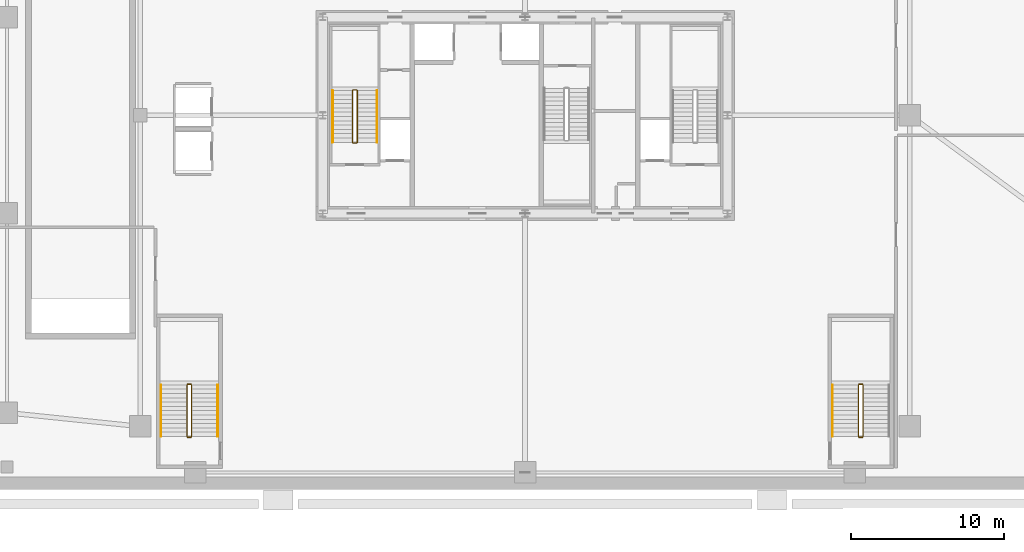
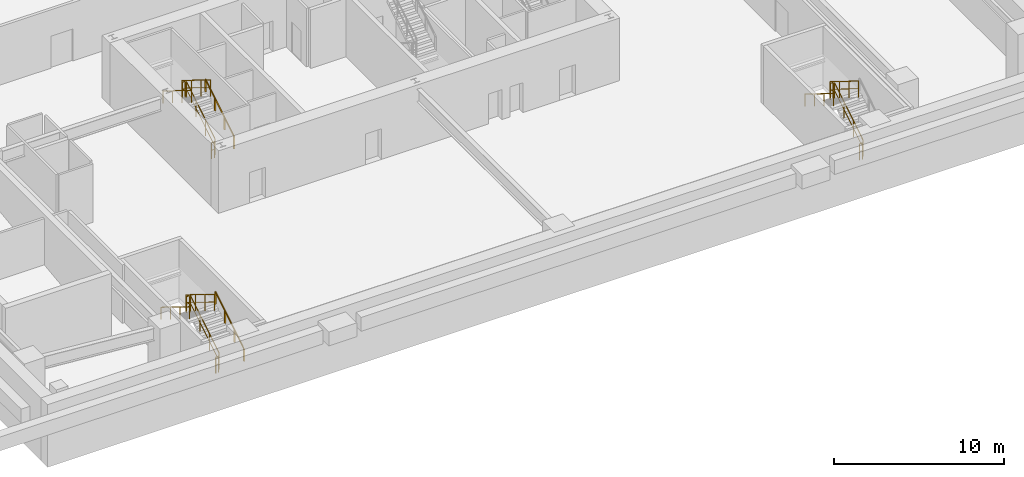
# One storey, part 8 of 9: 17 railings.
"""IFC4 building model written with IfcOpenShell, lengths in metres."""

from ifc_helpers import new_model, si_unit, direction, frame, origin, origin_2d, place, context, subcontext, project, spatial, rectangle, extrude, source, transform, mapped, material, layer, layer_set, type_object, element, save


model = new_model("IFC4")

# Units and contexts
model_context = context("Model", 3, precision=1e-05, world=origin(), true_north=direction((0.0, 1.0)))
body_context = subcontext(model_context, "Body", "Model", "MODEL_VIEW")
ifc_project = project(units=[si_unit("LENGTHUNIT", "METRE"), si_unit("AREAUNIT", "SQUARE_METRE"), si_unit("VOLUMEUNIT", "CUBIC_METRE"), si_unit("PLANEANGLEUNIT", "RADIAN"), si_unit("MASSUNIT", "GRAM", prefix="KILO"), si_unit("THERMODYNAMICTEMPERATUREUNIT", "KELVIN"), si_unit("POWERUNIT", "WATT")], contexts=[model_context])

# Site, building, storey
site_placement = place(None, origin())
site = spatial("IfcSite", under=ifc_project, at=site_placement, CompositionType="ELEMENT")
building_placement = place(site_placement, origin())
building = spatial("IfcBuilding", under=site, at=building_placement, Name="Yuzanri Waterfront Tower", CompositionType="ELEMENT")
storey_placement = place(building_placement, frame((0.0, 0.0, -4.5)))
storey = spatial("IfcBuildingStorey", under=building, at=storey_placement, Name="B01", CompositionType="ELEMENT", Elevation=-4.5)

# Railings
ifc_material_1 = material(Name="Painted Galvanized Fire Steel", Category="steel")
ifc_layer_1 = layer(ifc_material_1, 0.06005859375)
ifc_layer_set_1 = layer_set([ifc_layer_1], Name="Painted Galvanized Fire Steel")
railing_type_1 = type_object("IfcRailingType", Name="Painted Steel Stairwell Guardrail 1120", PredefinedType="GUARDRAIL", material=ifc_layer_set_1)
shared_shape_1 = source(origin(), body_context, "Body", "SweptSolid", [
    extrude(rectangle(XDim=0.050048828125, YDim=0.050048828125, at=origin_2d()), frame((0.0, 0.0, 1.1748046875), z_axis=(0.0, 0.850606129759, 0.525803396734), x_axis=(-1.0, 0.0, 0.0)), (0.0, 0.0, 1.0), 3.949951171875),
    extrude(rectangle(XDim=0.035888671875, YDim=0.030029296875, at=origin_2d()), frame((0.0, 0.0, 0.6240234375), z_axis=(0.0, 0.850606129759, 0.525803396734), x_axis=(-1.0, 0.0, 0.0)), (0.0, 0.0, 1.0), 3.949951171875),
    extrude(rectangle(XDim=0.0458984375, YDim=0.0458984375, at=origin_2d()), origin(), (0.0, 0.0, 1.0), 1.14990234375),
    extrude(rectangle(XDim=0.0458984375, YDim=0.0458984375, at=origin_2d()), frame((0.0, 1.119873046875, 0.6923828125)), (0.0, 0.0, 1.0), 1.14990234375),
    extrude(rectangle(XDim=0.0458984375, YDim=0.0458984375, at=origin_2d()), frame((0.0, 2.239990234375, 1.384521484375)), (0.0, 0.0, 1.0), 1.14990234375),
    extrude(rectangle(XDim=0.0458984375, YDim=0.0458984375, at=origin_2d()), frame((0.0, 3.35986328125, 2.076904296875)), (0.0, 0.0, 1.0), 1.14990234375),
])
for number, where, name in (
    (1, (26.050048828125, 24.0400390625, 0.173095703125), "B01 ST-01 stair guard 1"),
    (2, (15.25, 4.85009765625, 0.173095703125), "B01 PST-01 stair guard 1"),
    (3, (59.050048828125, 4.85009765625, 0.173095703125), "B01 PST-02 stair guard 1"),
):
    element("IfcRailing", number, at=place(storey_placement, frame(where)), inside=storey, type_object=railing_type_1, Name=name, PredefinedType="GUARDRAIL", context=body_context, shape_type="MappedRepresentation", body=[
        mapped(shared_shape_1, transform((0.0, 0.0, 0.0), scale=1.0)),
    ])
shared_shape_2 = source(origin(), body_context, "Body", "SweptSolid", [
    extrude(rectangle(XDim=0.050048828125, YDim=0.050048828125, at=origin_2d()), frame((0.0, 0.0, 1.1748046875), z_axis=(-1.0, 0.0, 0.0), x_axis=(0.0, -1.0, 0.0)), (0.0, 0.0, 1.0), 0.199951171875),
    extrude(rectangle(XDim=0.035888671875, YDim=0.030029296875, at=origin_2d()), frame((0.0, 0.0, 0.6240234375), z_axis=(-1.0, 0.0, 0.0), x_axis=(0.0, -1.0, 0.0)), (0.0, 0.0, 1.0), 0.199951171875),
    extrude(rectangle(XDim=0.0458984375, YDim=0.0458984375, at=origin_2d()), origin(), (0.0, 0.0, 1.0), 1.14990234375),
    extrude(rectangle(XDim=0.0458984375, YDim=0.0458984375, at=origin_2d()), frame((-0.199951171875, 0.0, 0.0)), (0.0, 0.0, 1.0), 1.14990234375),
])
for number, where, name in (
    (4, (26.0, 27.449951171875, 2.25), "B01 ST-01 stair guard 2"),
    (5, (26.0, 23.989990234375, 0.0), "B01 ST-01 stair guard 4"),
    (6, (15.199951171875, 8.260009765625, 2.25), "B01 PST-01 stair guard 2"),
    (7, (15.199951171875, 4.800048828125, 0.0), "B01 PST-01 stair guard 4"),
    (8, (59.0, 8.260009765625, 2.25), "B01 PST-02 stair guard 2"),
    (9, (59.0, 4.800048828125, 0.0), "B01 PST-02 stair guard 4"),
):
    element("IfcRailing", number, at=place(storey_placement, frame(where)), inside=storey, type_object=railing_type_1, Name=name, PredefinedType="GUARDRAIL", context=body_context, shape_type="MappedRepresentation", body=[
        mapped(shared_shape_2, transform((0.0, 0.0, 0.0), scale=1.0)),
    ])
shared_shape_3 = source(origin(), body_context, "Body", "SweptSolid", [
    extrude(rectangle(XDim=0.050048828125, YDim=0.050048828125, at=origin_2d()), frame((0.0, 0.0, 1.1748046875), z_axis=(0.0, -0.850606129759, 0.525803396734), x_axis=(1.0, 0.0, 0.0)), (0.0, 0.0, 1.0), 3.949951171875),
    extrude(rectangle(XDim=0.035888671875, YDim=0.030029296875, at=origin_2d()), frame((0.0, 0.0, 0.6240234375), z_axis=(0.0, -0.850606129759, 0.525803396734), x_axis=(1.0, 0.0, 0.0)), (0.0, 0.0, 1.0), 3.949951171875),
    extrude(rectangle(XDim=0.0458984375, YDim=0.0458984375, at=origin_2d()), origin(), (0.0, 0.0, 1.0), 1.14990234375),
    extrude(rectangle(XDim=0.0458984375, YDim=0.0458984375, at=origin_2d()), frame((0.0, -1.119873046875, 0.6923828125)), (0.0, 0.0, 1.0), 1.14990234375),
    extrude(rectangle(XDim=0.0458984375, YDim=0.0458984375, at=origin_2d()), frame((0.0, -2.239990234375, 1.384521484375)), (0.0, 0.0, 1.0), 1.14990234375),
    extrude(rectangle(XDim=0.0458984375, YDim=0.0458984375, at=origin_2d()), frame((0.0, -3.35986328125, 2.076904296875)), (0.0, 0.0, 1.0), 1.14990234375),
])
for number, where, name in (
    (10, (25.75, 27.39990234375, 2.423095703125), "B01 ST-01 stair guard 3"),
    (11, (14.949951171875, 8.2099609375, 2.423095703125), "B01 PST-01 stair guard 3"),
    (12, (58.75, 8.2099609375, 2.423095703125), "B01 PST-02 stair guard 3"),
):
    element("IfcRailing", number, at=place(storey_placement, frame(where)), inside=storey, type_object=railing_type_1, Name=name, PredefinedType="GUARDRAIL", context=body_context, shape_type="MappedRepresentation", body=[
        mapped(shared_shape_3, transform((0.0, 0.0, 0.0), scale=1.0)),
    ])
ifc_material_2 = material(Name="Anodized Architectural Bronze", Category="metal")
ifc_layer_2 = layer(ifc_material_2, 0.050048828125)
ifc_layer_set_2 = layer_set([ifc_layer_2], Name="Anodized Architectural Bronze")
railing_type_2 = type_object("IfcRailingType", Name="Brushed Bronze Stair Pitch Handrail 920", PredefinedType="HANDRAIL", material=ifc_layer_set_2)
shared_shape_4 = source(origin(), body_context, "Body", "SweptSolid", [
    extrude(rectangle(XDim=0.050048828125, YDim=0.050048828125, at=origin_2d()), frame((0.0, 0.0, 0.875), z_axis=(0.0, 0.850606129759, 0.525803396734), x_axis=(-1.0, 0.0, 0.0)), (0.0, 0.0, 1.0), 3.949951171875),
    extrude(rectangle(XDim=0.0458984375, YDim=0.0458984375, at=origin_2d()), origin(), (0.0, 0.0, 1.0), 0.849853515625),
    extrude(rectangle(XDim=0.0458984375, YDim=0.0458984375, at=origin_2d()), frame((0.0, 1.119873046875, 0.6923828125)), (0.0, 0.0, 1.0), 0.849853515625),
    extrude(rectangle(XDim=0.0458984375, YDim=0.0458984375, at=origin_2d()), frame((0.0, 2.239990234375, 1.384521484375)), (0.0, 0.0, 1.0), 0.849853515625),
    extrude(rectangle(XDim=0.0458984375, YDim=0.0458984375, at=origin_2d()), frame((0.0, 3.35986328125, 2.076904296875)), (0.0, 0.0, 1.0), 0.849853515625),
])
for number, where, name in (
    (13, (27.35009765625, 24.0400390625, 0.173095703125), "B01 ST-01 stair handrail 1"),
    (14, (16.949951171875, 4.85009765625, 0.173095703125), "B01 PST-01 stair handrail 1"),
):
    element("IfcRailing", number, at=place(storey_placement, frame(where)), inside=storey, type_object=railing_type_2, Name=name, PredefinedType="HANDRAIL", context=body_context, shape_type="MappedRepresentation", body=[
        mapped(shared_shape_4, transform((0.0, 0.0, 0.0), scale=1.0)),
    ])
shared_shape_5 = source(origin(), body_context, "Body", "SweptSolid", [
    extrude(rectangle(XDim=0.050048828125, YDim=0.050048828125, at=origin_2d()), frame((0.0, 0.0, 0.875), z_axis=(0.0, -0.850606129759, 0.525803396734), x_axis=(1.0, 0.0, 0.0)), (0.0, 0.0, 1.0), 3.949951171875),
    extrude(rectangle(XDim=0.0458984375, YDim=0.0458984375, at=origin_2d()), origin(), (0.0, 0.0, 1.0), 0.849853515625),
    extrude(rectangle(XDim=0.0458984375, YDim=0.0458984375, at=origin_2d()), frame((0.0, -1.119873046875, 0.6923828125)), (0.0, 0.0, 1.0), 0.849853515625),
    extrude(rectangle(XDim=0.0458984375, YDim=0.0458984375, at=origin_2d()), frame((0.0, -2.239990234375, 1.384521484375)), (0.0, 0.0, 1.0), 0.849853515625),
    extrude(rectangle(XDim=0.0458984375, YDim=0.0458984375, at=origin_2d()), frame((0.0, -3.35986328125, 2.076904296875)), (0.0, 0.0, 1.0), 0.849853515625),
])
for number, where, name in (
    (15, (24.449951171875, 27.39990234375, 2.423095703125), "B01 ST-01 stair handrail 2"),
    (16, (13.25, 8.2099609375, 2.423095703125), "B01 PST-01 stair handrail 2"),
    (17, (57.050048828125, 8.2099609375, 2.423095703125), "B01 PST-02 stair handrail 2"),
):
    element("IfcRailing", number, at=place(storey_placement, frame(where)), inside=storey, type_object=railing_type_2, Name=name, PredefinedType="HANDRAIL", context=body_context, shape_type="MappedRepresentation", body=[
        mapped(shared_shape_5, transform((0.0, 0.0, 0.0), scale=1.0)),
    ])

save(model, "model.ifc")
